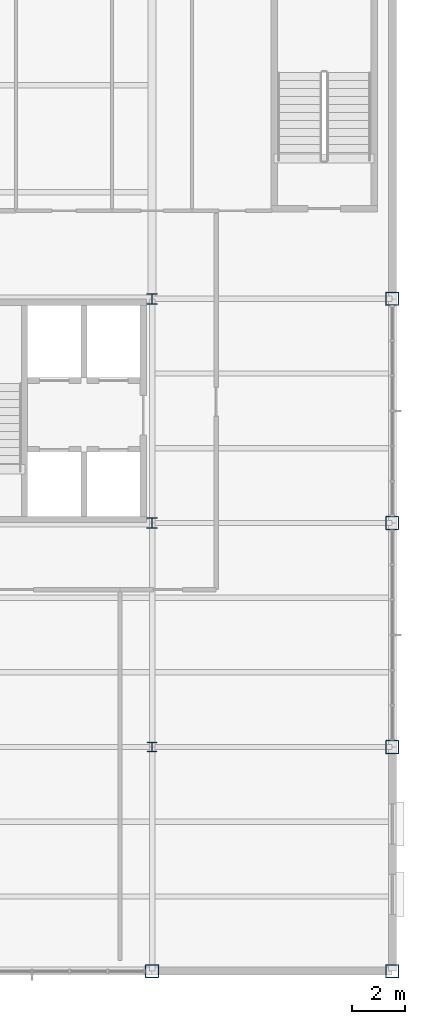
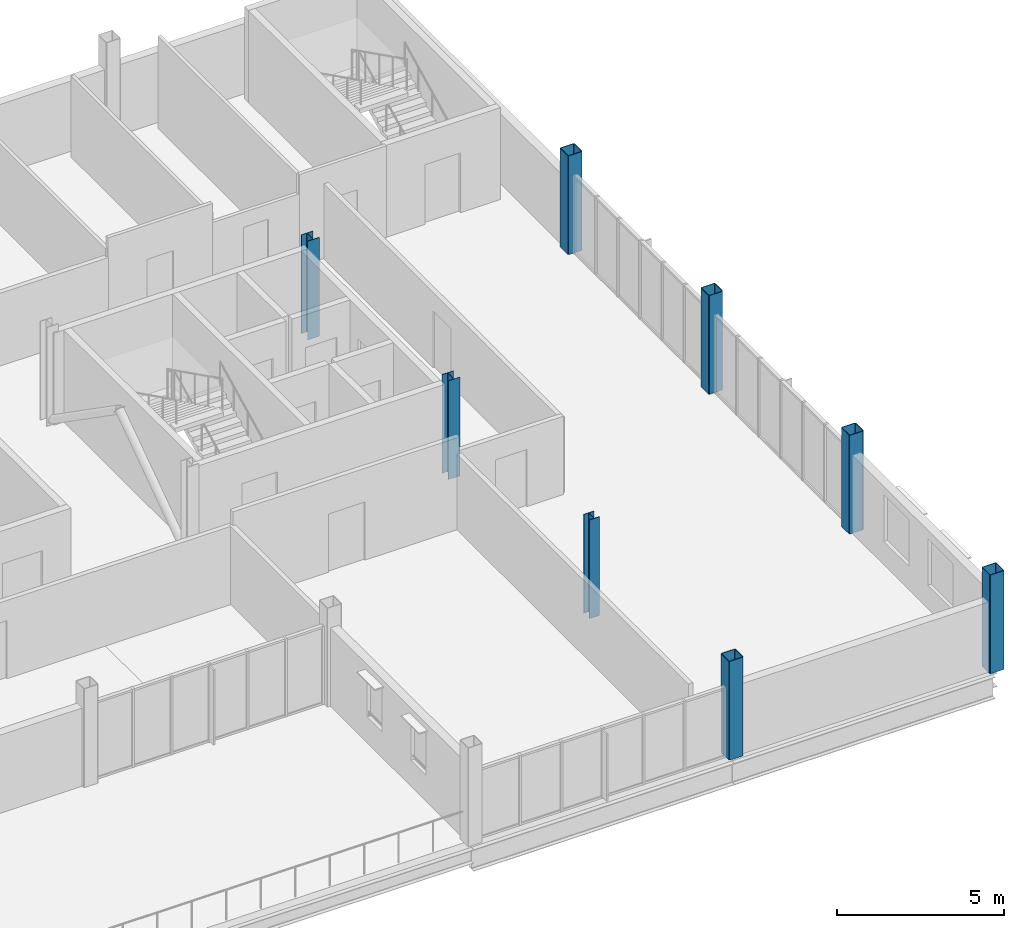
# One storey, part 3 of 20: 8 columns.
"""IFC4 building model written with IfcOpenShell, lengths in metres."""

from ifc_helpers import new_model, si_unit, direction, frame, origin, origin_2d, place, context, subcontext, project, spatial, hollow_rectangle, i_section, extrude, material, material_profile, profile_set, type_object, element, save


model = new_model("IFC4")

# Units and contexts
model_context = context("Model", 3, precision=1e-05, world=origin(), true_north=direction((0.0, 1.0)))
body_context = subcontext(model_context, "Body", "Model", "MODEL_VIEW")
ifc_project = project(units=[si_unit("LENGTHUNIT", "METRE"), si_unit("AREAUNIT", "SQUARE_METRE"), si_unit("VOLUMEUNIT", "CUBIC_METRE"), si_unit("PLANEANGLEUNIT", "RADIAN"), si_unit("MASSUNIT", "GRAM", prefix="KILO")], contexts=[model_context])

# Site, building, storey
site_placement = place(None, origin())
site = spatial("IfcSite", under=ifc_project, at=site_placement, CompositionType="ELEMENT")
building_placement = place(site_placement, origin())
building = spatial("IfcBuilding", under=site, at=building_placement, Name="Yukiwa Park Conservatory and Herbarium", CompositionType="ELEMENT")
storey_placement = place(building_placement, frame((0.0, 0.0, 28.199951171875)))
storey = spatial("IfcBuildingStorey", under=building, at=storey_placement, Name="L07", CompositionType="ELEMENT", Elevation=28.199951171875)

# Columns
ifc_material_1 = material(Name="Steel Q355D", Category="steel")
ifc_material_profile_1 = material_profile(ifc_material_1, hollow_rectangle(XDim=0.5, YDim=0.5, WallThickness=0.02001953125, InnerFilletRadius=0.02001953125, OuterFilletRadius=0.0400390625, at=origin_2d()), Name="BOX 500x500x20")
ifc_profile_set_1 = profile_set([ifc_material_profile_1], Name="Steel Q355D")
column_type_1 = type_object("IfcColumnType", Name="COL-TW-BOX500-EXT", PredefinedType="COLUMN", material=ifc_profile_set_1)
for number, where, z_axis, x_axis, name in (
    (1, (159.0, 78.0, 0.0), (0.0, 0.0, 1.0), (1.0, 0.0, 0.0), "L07 column V5-X1590-Y780"),
    (2, (168.0, 78.0, 0.0), (0.0, 0.0, 1.0), (1.0, 0.0, 0.0), "L07 column V5-X1680-Y780"),
    (3, (168.0, 86.39990234375, 0.0), (0.0, 0.0, 1.0), (1.0, 0.0, 0.0), "L07 column V5-X1680-Y864"),
    (4, (168.0, 94.800048828125, 0.0), (0.0, 0.0, 1.0), (1.0, 0.0, 0.0), "L07 column V5-X1680-Y948"),
    (5, (168.0, 103.199951171875, 0.0), (0.0, 0.0, 1.0), (1.0, 0.0, 0.0), "L07 column V5-X1680-Y1032"),
):
    element("IfcColumn", number, at=place(storey_placement, frame(where, z_axis=z_axis, x_axis=x_axis)), inside=storey, type_object=column_type_1, Name=name, PredefinedType="COLUMN", context=body_context, shape_type="SweptSolid", body=[
        extrude(hollow_rectangle(XDim=0.5, YDim=0.5, WallThickness=0.02001953125, InnerFilletRadius=0.02001953125, OuterFilletRadius=0.0400390625, at=origin_2d()), origin(), (0.0, 0.0, 1.0), 3.60009765625),
    ])
ifc_material_2 = material(Name="Steel Q355D", Category="steel")
ifc_material_profile_2 = material_profile(ifc_material_2, i_section(OverallWidth=0.35009765625, OverallDepth=0.35009765625, WebThickness=0.011962890625, FlangeThickness=0.01904296875, FilletRadius=0.02001953125, at=origin_2d()), Name="HW 350x350x12x19")
ifc_profile_set_2 = profile_set([ifc_material_profile_2], Name="Steel Q355D")
column_type_2 = type_object("IfcColumnType", Name="COL-TW-HW350", PredefinedType="COLUMN", material=ifc_profile_set_2)
column_placement = place(storey_placement, frame((159.0, 86.39990234375, 0.0), z_axis=(0.0, 0.0, 1.0), x_axis=(1.0, 0.0, 0.0)))
element("IfcColumn", 6, at=column_placement, inside=storey, type_object=column_type_2, Name="L07 column V5-X1590-Y864", PredefinedType="COLUMN", context=body_context, shape_type="SweptSolid", body=[
    extrude(i_section(OverallWidth=0.35009765625, OverallDepth=0.35009765625, WebThickness=0.011962890625, FlangeThickness=0.01904296875, FilletRadius=0.02001953125, at=origin_2d()), origin(), (0.0, 0.0, 1.0), 3.60009765625),
])
ifc_material_3 = material(Name="Steel Q355D", Category="steel")
ifc_material_profile_3 = material_profile(ifc_material_3, i_section(OverallWidth=0.39794921875, OverallDepth=0.39404296875, WebThickness=0.010986328125, FlangeThickness=0.01806640625, FilletRadius=0.02197265625, at=origin_2d()), Name="HW 394x398x11x18")
ifc_profile_set_3 = profile_set([ifc_material_profile_3], Name="Steel Q355D")
column_type_3 = type_object("IfcColumnType", Name="COL-TW-HW394", PredefinedType="COLUMN", material=ifc_profile_set_3)
for number, where, z_axis, x_axis, name in (
    (7, (159.0, 94.800048828125, 0.0), (0.0, 0.0, 1.0), (1.0, 0.0, 0.0), "L07 column V5-X1590-Y948"),
    (8, (159.0, 103.199951171875, 0.0), (0.0, 0.0, 1.0), (1.0, 0.0, 0.0), "L07 column V5-X1590-Y1032"),
):
    element("IfcColumn", number, at=place(storey_placement, frame(where, z_axis=z_axis, x_axis=x_axis)), inside=storey, type_object=column_type_3, Name=name, PredefinedType="COLUMN", context=body_context, shape_type="SweptSolid", body=[
        extrude(i_section(OverallWidth=0.39794921875, OverallDepth=0.39404296875, WebThickness=0.010986328125, FlangeThickness=0.01806640625, FilletRadius=0.02197265625, at=origin_2d()), origin(), (0.0, 0.0, 1.0), 3.60009765625),
    ])

save(model, "model.ifc")
